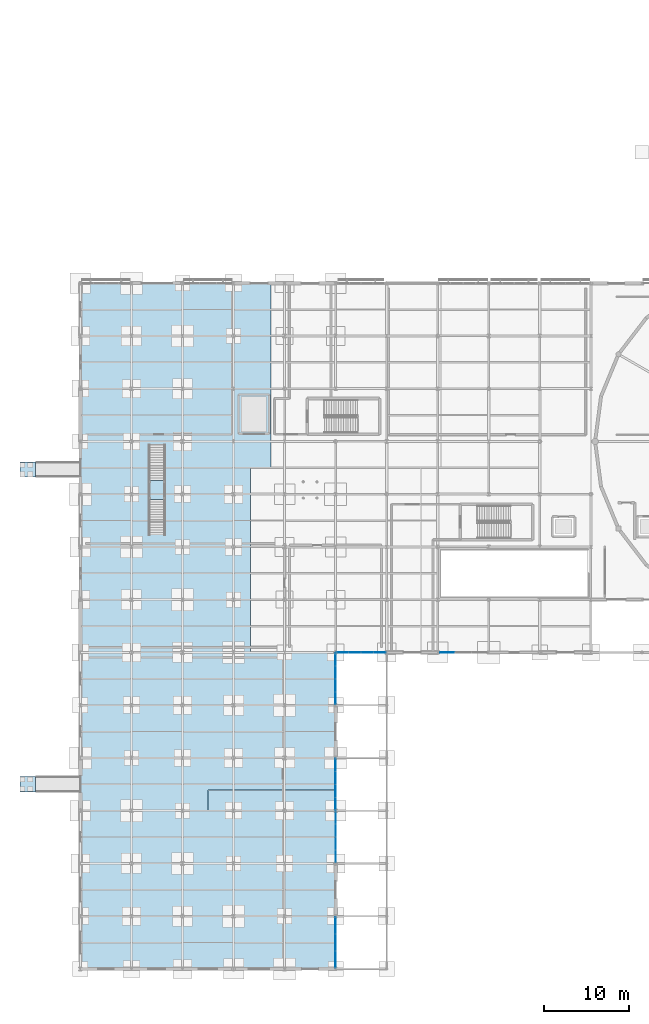
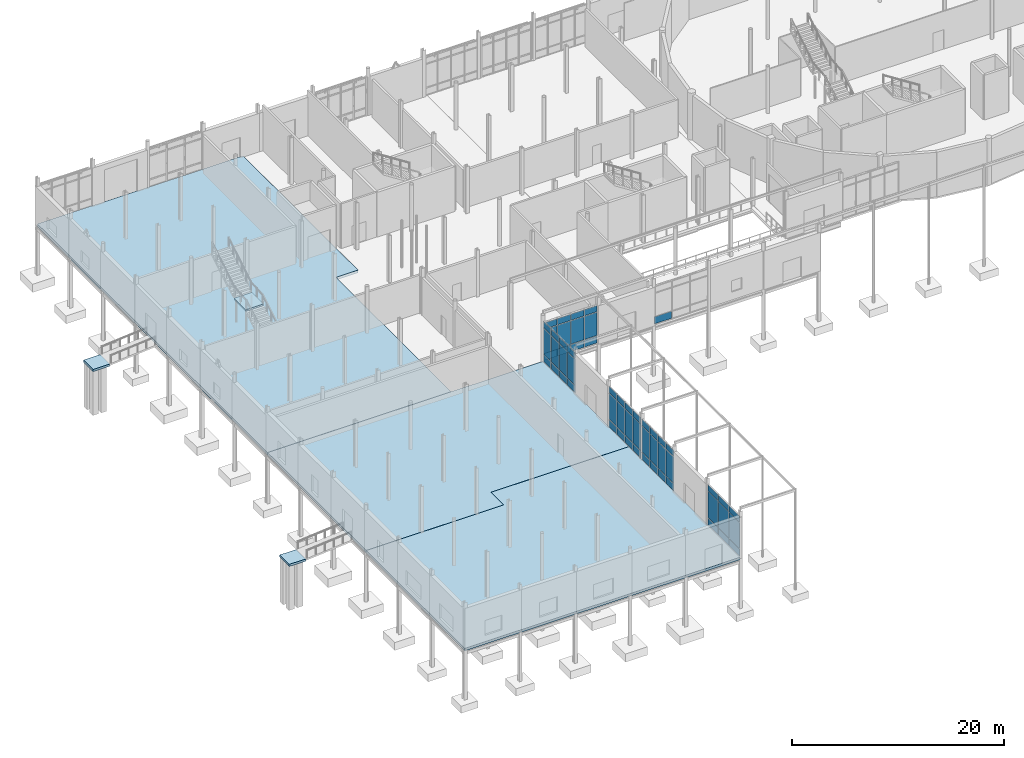
# One storey, part 59 of 98: 58 plates, 6 slabs, 7 elements without a shape of their own.
"""IFC4 building model written with IfcOpenShell, lengths in metres."""

from ifc_helpers import new_model, si_unit, direction, frame, origin, origin_2d, place, context, subcontext, project, spatial, polyline, rectangle, outline, extrude, material, layer, layer_set, type_object, element, aggregate, save


model = new_model("IFC4")

# Units and contexts
model_context = context("Model", 3, precision=1e-05, world=origin(), true_north=direction((0.0, 1.0)))
body_context = subcontext(model_context, "Body", "Model", "MODEL_VIEW")
ifc_project = project(units=[si_unit("LENGTHUNIT", "METRE"), si_unit("AREAUNIT", "SQUARE_METRE"), si_unit("VOLUMEUNIT", "CUBIC_METRE"), si_unit("PLANEANGLEUNIT", "RADIAN"), si_unit("MASSUNIT", "GRAM", prefix="KILO")], contexts=[model_context])

# Site, building, storey
site_placement = place(None, origin())
site = spatial("IfcSite", under=ifc_project, at=site_placement, CompositionType="ELEMENT")
building_placement = place(site_placement, origin())
building = spatial("IfcBuilding", under=site, at=building_placement, Name="Mirzam Square Science Centre", CompositionType="ELEMENT")
storey_placement = place(building_placement, origin())
storey = spatial("IfcBuildingStorey", under=building, at=storey_placement, Name="L00", CompositionType="ELEMENT", Elevation=0.0)

# Curtain wall, plates
ifc_material_1 = material(Name="Anodised Aluminium and Low-E Solar Glass", Category="aluminium")
ifc_layer_1 = layer(ifc_material_1, 0.159912109375)
ifc_layer_set_1 = layer_set([ifc_layer_1], Name="CW-COURT-B")
curtain_wall_type_1 = type_object("IfcCurtainWallType", Name="CW-COURT-B", PredefinedType="USERDEFINED", material=ifc_layer_set_1)
curtain_wall_1_placement = place(storey_placement, origin())
curtain_wall_1 = element("IfcCurtainWall", 1, at=curtain_wall_1_placement, inside=storey, type_object=curtain_wall_type_1, Name="L00 unitised curtain wall 37", ObjectType="UNITISED CURTAIN WALL", PredefinedType="USERDEFINED")
ifc_material_2 = material(Name="Ceramic-Fritted Courtyard Solar Glass", Category="glass")
ifc_layer_2 = layer(ifc_material_2, 0.02392578125)
ifc_layer_set_2 = layer_set([ifc_layer_2], Name="CWP-GLZ-24")
plate_type_1 = type_object("IfcPlateType", Name="CWP-GLZ-24", PredefinedType="CURTAIN_PANEL", material=ifc_layer_set_2)
plate_1_placement = place(storey_placement, frame((30.0, 13.231201171875, 0.06005859375), z_axis=(0.0, 0.0, 1.0), x_axis=(0.0, 1.0, 0.0)))
plate_1 = element("IfcPlate", 2, at=plate_1_placement, type_object=plate_type_1, Name="CW-04 panel 1.1", PredefinedType="CURTAIN_PANEL", context=body_context, shape_type="SweptSolid", body=[
    extrude(rectangle(XDim=1.4326171875, YDim=0.02392578125, at=origin_2d()), origin(), (0.0, 0.0, 1.0), 0.81005859375),
])
plate_2_placement = place(storey_placement, frame((30.0, 13.231201171875, 0.929931640625), z_axis=(0.0, 0.0, 1.0), x_axis=(0.0, 1.0, 0.0)))
plate_2 = element("IfcPlate", 3, at=plate_2_placement, type_object=plate_type_1, Name="CW-04 panel 1.2", PredefinedType="CURTAIN_PANEL", context=body_context, shape_type="SweptSolid", body=[
    extrude(rectangle(XDim=1.4326171875, YDim=0.02392578125, at=origin_2d()), origin(), (0.0, 0.0, 1.0), 3.0),
])
plate_3_placement = place(storey_placement, frame((30.0, 13.231201171875, 3.989990234375), z_axis=(0.0, 0.0, 1.0), x_axis=(0.0, 1.0, 0.0)))
plate_3 = element("IfcPlate", 4, at=plate_3_placement, type_object=plate_type_1, Name="CW-04 panel 1.3", PredefinedType="CURTAIN_PANEL", context=body_context, shape_type="SweptSolid", body=[
    extrude(rectangle(XDim=1.4326171875, YDim=0.02392578125, at=origin_2d()), origin(), (0.0, 0.0, 1.0), 0.7099609375),
])
plate_4_placement = place(storey_placement, frame((30.0, 14.73876953125, 0.06005859375), z_axis=(0.0, 0.0, 1.0), x_axis=(0.0, 1.0, 0.0)))
plate_4 = element("IfcPlate", 5, at=plate_4_placement, type_object=plate_type_1, Name="CW-04 panel 2.1", PredefinedType="CURTAIN_PANEL", context=body_context, shape_type="SweptSolid", body=[
    extrude(rectangle(XDim=1.46240234375, YDim=0.02392578125, at=origin_2d()), origin(), (0.0, 0.0, 1.0), 0.81005859375),
])
plate_5_placement = place(storey_placement, frame((30.0, 14.73876953125, 0.929931640625), z_axis=(0.0, 0.0, 1.0), x_axis=(0.0, 1.0, 0.0)))
plate_5 = element("IfcPlate", 6, at=plate_5_placement, type_object=plate_type_1, Name="CW-04 panel 2.2", PredefinedType="CURTAIN_PANEL", context=body_context, shape_type="SweptSolid", body=[
    extrude(rectangle(XDim=1.46240234375, YDim=0.02392578125, at=origin_2d()), origin(), (0.0, 0.0, 1.0), 3.0),
])
plate_6_placement = place(storey_placement, frame((30.0, 14.73876953125, 3.989990234375), z_axis=(0.0, 0.0, 1.0), x_axis=(0.0, 1.0, 0.0)))
plate_6 = element("IfcPlate", 7, at=plate_6_placement, type_object=plate_type_1, Name="CW-04 panel 2.3", PredefinedType="CURTAIN_PANEL", context=body_context, shape_type="SweptSolid", body=[
    extrude(rectangle(XDim=1.46240234375, YDim=0.02392578125, at=origin_2d()), origin(), (0.0, 0.0, 1.0), 0.7099609375),
])
plate_7_placement = place(storey_placement, frame((30.0, 16.26123046875, 0.06005859375), z_axis=(0.0, 0.0, 1.0), x_axis=(0.0, 1.0, 0.0)))
plate_7 = element("IfcPlate", 8, at=plate_7_placement, type_object=plate_type_1, Name="CW-04 panel 3.1", PredefinedType="CURTAIN_PANEL", context=body_context, shape_type="SweptSolid", body=[
    extrude(rectangle(XDim=1.46240234375, YDim=0.02392578125, at=origin_2d()), origin(), (0.0, 0.0, 1.0), 0.81005859375),
])
plate_8_placement = place(storey_placement, frame((30.0, 16.26123046875, 0.929931640625), z_axis=(0.0, 0.0, 1.0), x_axis=(0.0, 1.0, 0.0)))
plate_8 = element("IfcPlate", 9, at=plate_8_placement, type_object=plate_type_1, Name="CW-04 panel 3.2", PredefinedType="CURTAIN_PANEL", context=body_context, shape_type="SweptSolid", body=[
    extrude(rectangle(XDim=1.46240234375, YDim=0.02392578125, at=origin_2d()), origin(), (0.0, 0.0, 1.0), 3.0),
])
plate_9_placement = place(storey_placement, frame((30.0, 16.26123046875, 3.989990234375), z_axis=(0.0, 0.0, 1.0), x_axis=(0.0, 1.0, 0.0)))
plate_9 = element("IfcPlate", 10, at=plate_9_placement, type_object=plate_type_1, Name="CW-04 panel 3.3", PredefinedType="CURTAIN_PANEL", context=body_context, shape_type="SweptSolid", body=[
    extrude(rectangle(XDim=1.46240234375, YDim=0.02392578125, at=origin_2d()), origin(), (0.0, 0.0, 1.0), 0.7099609375),
])
plate_10_placement = place(storey_placement, frame((30.0, 17.768798828125, 0.06005859375), z_axis=(0.0, 0.0, 1.0), x_axis=(0.0, 1.0, 0.0)))
plate_10 = element("IfcPlate", 11, at=plate_10_placement, type_object=plate_type_1, Name="CW-04 panel 4.1", PredefinedType="CURTAIN_PANEL", context=body_context, shape_type="SweptSolid", body=[
    extrude(rectangle(XDim=1.4326171875, YDim=0.02392578125, at=origin_2d()), origin(), (0.0, 0.0, 1.0), 0.81005859375),
])
plate_11_placement = place(storey_placement, frame((30.0, 17.768798828125, 0.929931640625), z_axis=(0.0, 0.0, 1.0), x_axis=(0.0, 1.0, 0.0)))
plate_11 = element("IfcPlate", 12, at=plate_11_placement, type_object=plate_type_1, Name="CW-04 panel 4.2", PredefinedType="CURTAIN_PANEL", context=body_context, shape_type="SweptSolid", body=[
    extrude(rectangle(XDim=1.4326171875, YDim=0.02392578125, at=origin_2d()), origin(), (0.0, 0.0, 1.0), 3.0),
])
plate_12_placement = place(storey_placement, frame((30.0, 17.768798828125, 3.989990234375), z_axis=(0.0, 0.0, 1.0), x_axis=(0.0, 1.0, 0.0)))
plate_12 = element("IfcPlate", 13, at=plate_12_placement, type_object=plate_type_1, Name="CW-04 panel 4.3", PredefinedType="CURTAIN_PANEL", context=body_context, shape_type="SweptSolid", body=[
    extrude(rectangle(XDim=1.4326171875, YDim=0.02392578125, at=origin_2d()), origin(), (0.0, 0.0, 1.0), 0.7099609375),
])
aggregate(curtain_wall_1, [plate_1, plate_2, plate_3, plate_4, plate_5, plate_6, plate_7, plate_8, plate_9, plate_10, plate_11, plate_12])

ifc_layer_3 = layer(ifc_material_1, 0.199951171875)
ifc_layer_set_3 = layer_set([ifc_layer_3], Name="CW-PARK-B")
curtain_wall_type_2 = type_object("IfcCurtainWallType", Name="CW-PARK-B", PredefinedType="USERDEFINED", material=ifc_layer_set_3)
curtain_wall_2_placement = place(storey_placement, origin())
curtain_wall_2 = element("IfcCurtainWall", 14, at=curtain_wall_2_placement, inside=storey, type_object=curtain_wall_type_2, Name="L00 unitised curtain wall 36", ObjectType="UNITISED CURTAIN WALL", PredefinedType="USERDEFINED")
ifc_material_3 = material(Name="Triple-Glazed Acoustic Low-E Solar Glass", Category="glass")
ifc_layer_4 = layer(ifc_material_3, 0.031982421875)
ifc_layer_set_4 = layer_set([ifc_layer_4], Name="CWP-GLZ-32")
plate_type_2 = type_object("IfcPlateType", Name="CWP-GLZ-32", PredefinedType="CURTAIN_PANEL", material=ifc_layer_set_4)
plate_13_placement = place(storey_placement, frame((30.0, 1.086181640625, 0.06494140625), z_axis=(0.0, 0.0, 1.0), x_axis=(0.0, 1.0, 0.0)))
plate_13 = element("IfcPlate", 15, at=plate_13_placement, type_object=plate_type_2, Name="CW-02 panel 1.1", PredefinedType="CURTAIN_PANEL", context=body_context, shape_type="SweptSolid", body=[
    extrude(rectangle(XDim=1.9326171875, YDim=0.031982421875, at=origin_2d()), origin(), (0.0, 0.0, 1.0), 0.802490234375),
])
plate_14_placement = place(storey_placement, frame((30.0, 1.086181640625, 0.932373046875), z_axis=(0.0, 0.0, 1.0), x_axis=(0.0, 1.0, 0.0)))
plate_14 = element("IfcPlate", 16, at=plate_14_placement, type_object=plate_type_2, Name="CW-02 panel 1.2", PredefinedType="CURTAIN_PANEL", context=body_context, shape_type="SweptSolid", body=[
    extrude(rectangle(XDim=1.9326171875, YDim=0.031982421875, at=origin_2d()), origin(), (0.0, 0.0, 1.0), 2.9951171875),
])
plate_15_placement = place(storey_placement, frame((30.0, 1.086181640625, 3.99267578125), z_axis=(0.0, 0.0, 1.0), x_axis=(0.0, 1.0, 0.0)))
plate_15 = element("IfcPlate", 17, at=plate_15_placement, type_object=plate_type_2, Name="CW-02 panel 1.3", PredefinedType="CURTAIN_PANEL", context=body_context, shape_type="SweptSolid", body=[
    extrude(rectangle(XDim=1.9326171875, YDim=0.031982421875, at=origin_2d()), origin(), (0.0, 0.0, 1.0), 0.702392578125),
])
plate_16_placement = place(storey_placement, frame((30.0, 3.10009765625, 0.06494140625), z_axis=(0.0, 0.0, 1.0), x_axis=(0.0, 1.0, 0.0)))
plate_16 = element("IfcPlate", 18, at=plate_16_placement, type_object=plate_type_2, Name="CW-02 panel 2.1", PredefinedType="CURTAIN_PANEL", context=body_context, shape_type="SweptSolid", body=[
    extrude(rectangle(XDim=1.965087890625, YDim=0.031982421875, at=origin_2d()), origin(), (0.0, 0.0, 1.0), 0.802490234375),
])
plate_17_placement = place(storey_placement, frame((30.0, 3.10009765625, 0.932373046875), z_axis=(0.0, 0.0, 1.0), x_axis=(0.0, 1.0, 0.0)))
plate_17 = element("IfcPlate", 19, at=plate_17_placement, type_object=plate_type_2, Name="CW-02 panel 2.2", PredefinedType="CURTAIN_PANEL", context=body_context, shape_type="SweptSolid", body=[
    extrude(rectangle(XDim=1.965087890625, YDim=0.031982421875, at=origin_2d()), origin(), (0.0, 0.0, 1.0), 2.9951171875),
])
plate_18_placement = place(storey_placement, frame((30.0, 3.10009765625, 3.99267578125), z_axis=(0.0, 0.0, 1.0), x_axis=(0.0, 1.0, 0.0)))
plate_18 = element("IfcPlate", 20, at=plate_18_placement, type_object=plate_type_2, Name="CW-02 panel 2.3", PredefinedType="CURTAIN_PANEL", context=body_context, shape_type="SweptSolid", body=[
    extrude(rectangle(XDim=1.965087890625, YDim=0.031982421875, at=origin_2d()), origin(), (0.0, 0.0, 1.0), 0.702392578125),
])
plate_19_placement = place(storey_placement, frame((30.0, 5.11376953125, 0.06494140625), z_axis=(0.0, 0.0, 1.0), x_axis=(0.0, 1.0, 0.0)))
plate_19 = element("IfcPlate", 21, at=plate_19_placement, type_object=plate_type_2, Name="CW-02 panel 3.1", PredefinedType="CURTAIN_PANEL", context=body_context, shape_type="SweptSolid", body=[
    extrude(rectangle(XDim=1.9326171875, YDim=0.031982421875, at=origin_2d()), origin(), (0.0, 0.0, 1.0), 0.802490234375),
])
plate_20_placement = place(storey_placement, frame((30.0, 5.11376953125, 0.932373046875), z_axis=(0.0, 0.0, 1.0), x_axis=(0.0, 1.0, 0.0)))
plate_20 = element("IfcPlate", 22, at=plate_20_placement, type_object=plate_type_2, Name="CW-02 panel 3.2", PredefinedType="CURTAIN_PANEL", context=body_context, shape_type="SweptSolid", body=[
    extrude(rectangle(XDim=1.9326171875, YDim=0.031982421875, at=origin_2d()), origin(), (0.0, 0.0, 1.0), 2.9951171875),
])
plate_21_placement = place(storey_placement, frame((30.0, 5.11376953125, 3.99267578125), z_axis=(0.0, 0.0, 1.0), x_axis=(0.0, 1.0, 0.0)))
plate_21 = element("IfcPlate", 23, at=plate_21_placement, type_object=plate_type_2, Name="CW-02 panel 3.3", PredefinedType="CURTAIN_PANEL", context=body_context, shape_type="SweptSolid", body=[
    extrude(rectangle(XDim=1.9326171875, YDim=0.031982421875, at=origin_2d()), origin(), (0.0, 0.0, 1.0), 0.702392578125),
])
aggregate(curtain_wall_2, [plate_13, plate_14, plate_15, plate_16, plate_17, plate_18, plate_19, plate_20, plate_21])

ifc_layer_5 = layer(ifc_material_1, 0.219970703125)
ifc_layer_set_5 = layer_set([ifc_layer_5], Name="CW-OBS-A")
curtain_wall_type_3 = type_object("IfcCurtainWallType", Name="CW-OBS-A", PredefinedType="USERDEFINED", material=ifc_layer_set_5)
curtain_wall_3_placement = place(storey_placement, origin())
curtain_wall_3 = element("IfcCurtainWall", 24, at=curtain_wall_3_placement, inside=storey, type_object=curtain_wall_type_3, Name="L00 unitised curtain wall 39", ObjectType="UNITISED CURTAIN WALL", PredefinedType="USERDEFINED")
plate_22_placement = place(storey_placement, frame((30.0, 31.831298828125, 0.06005859375), z_axis=(0.0, 0.0, 1.0), x_axis=(0.0, 1.0, 0.0)))
plate_22 = element("IfcPlate", 25, at=plate_22_placement, type_object=plate_type_2, Name="CW-07 panel 1.1", PredefinedType="CURTAIN_PANEL", context=body_context, shape_type="SweptSolid", body=[
    extrude(rectangle(XDim=1.4326171875, YDim=0.031982421875, at=origin_2d()), origin(), (0.0, 0.0, 1.0), 0.81005859375),
])
plate_23_placement = place(storey_placement, frame((30.0, 31.831298828125, 0.929931640625), z_axis=(0.0, 0.0, 1.0), x_axis=(0.0, 1.0, 0.0)))
plate_23 = element("IfcPlate", 26, at=plate_23_placement, type_object=plate_type_2, Name="CW-07 panel 1.2", PredefinedType="CURTAIN_PANEL", context=body_context, shape_type="SweptSolid", body=[
    extrude(rectangle(XDim=1.4326171875, YDim=0.031982421875, at=origin_2d()), origin(), (0.0, 0.0, 1.0), 3.0),
])
plate_24_placement = place(storey_placement, frame((30.0, 31.831298828125, 3.989990234375), z_axis=(0.0, 0.0, 1.0), x_axis=(0.0, 1.0, 0.0)))
plate_24 = element("IfcPlate", 27, at=plate_24_placement, type_object=plate_type_2, Name="CW-07 panel 1.3", PredefinedType="CURTAIN_PANEL", context=body_context, shape_type="SweptSolid", body=[
    extrude(rectangle(XDim=1.4326171875, YDim=0.031982421875, at=origin_2d()), origin(), (0.0, 0.0, 1.0), 0.7099609375),
])
plate_25_placement = place(storey_placement, frame((30.0, 33.3388671875, 0.06005859375), z_axis=(0.0, 0.0, 1.0), x_axis=(0.0, 1.0, 0.0)))
plate_25 = element("IfcPlate", 28, at=plate_25_placement, type_object=plate_type_2, Name="CW-07 panel 2.1", PredefinedType="CURTAIN_PANEL", context=body_context, shape_type="SweptSolid", body=[
    extrude(rectangle(XDim=1.46240234375, YDim=0.031982421875, at=origin_2d()), origin(), (0.0, 0.0, 1.0), 0.81005859375),
])
plate_26_placement = place(storey_placement, frame((30.0, 33.3388671875, 0.929931640625), z_axis=(0.0, 0.0, 1.0), x_axis=(0.0, 1.0, 0.0)))
plate_26 = element("IfcPlate", 29, at=plate_26_placement, type_object=plate_type_2, Name="CW-07 panel 2.2", PredefinedType="CURTAIN_PANEL", context=body_context, shape_type="SweptSolid", body=[
    extrude(rectangle(XDim=1.46240234375, YDim=0.031982421875, at=origin_2d()), origin(), (0.0, 0.0, 1.0), 3.0),
])
plate_27_placement = place(storey_placement, frame((30.0, 33.3388671875, 3.989990234375), z_axis=(0.0, 0.0, 1.0), x_axis=(0.0, 1.0, 0.0)))
plate_27 = element("IfcPlate", 30, at=plate_27_placement, type_object=plate_type_2, Name="CW-07 panel 2.3", PredefinedType="CURTAIN_PANEL", context=body_context, shape_type="SweptSolid", body=[
    extrude(rectangle(XDim=1.46240234375, YDim=0.031982421875, at=origin_2d()), origin(), (0.0, 0.0, 1.0), 0.7099609375),
])
plate_28_placement = place(storey_placement, frame((30.0, 34.861328125, 0.06005859375), z_axis=(0.0, 0.0, 1.0), x_axis=(0.0, 1.0, 0.0)))
plate_28 = element("IfcPlate", 31, at=plate_28_placement, type_object=plate_type_2, Name="CW-07 panel 3.1", PredefinedType="CURTAIN_PANEL", context=body_context, shape_type="SweptSolid", body=[
    extrude(rectangle(XDim=1.46240234375, YDim=0.031982421875, at=origin_2d()), origin(), (0.0, 0.0, 1.0), 0.81005859375),
])
plate_29_placement = place(storey_placement, frame((30.0, 34.861328125, 0.929931640625), z_axis=(0.0, 0.0, 1.0), x_axis=(0.0, 1.0, 0.0)))
plate_29 = element("IfcPlate", 32, at=plate_29_placement, type_object=plate_type_2, Name="CW-07 panel 3.2", PredefinedType="CURTAIN_PANEL", context=body_context, shape_type="SweptSolid", body=[
    extrude(rectangle(XDim=1.46240234375, YDim=0.031982421875, at=origin_2d()), origin(), (0.0, 0.0, 1.0), 3.0),
])
plate_30_placement = place(storey_placement, frame((30.0, 34.861328125, 3.989990234375), z_axis=(0.0, 0.0, 1.0), x_axis=(0.0, 1.0, 0.0)))
plate_30 = element("IfcPlate", 33, at=plate_30_placement, type_object=plate_type_2, Name="CW-07 panel 3.3", PredefinedType="CURTAIN_PANEL", context=body_context, shape_type="SweptSolid", body=[
    extrude(rectangle(XDim=1.46240234375, YDim=0.031982421875, at=origin_2d()), origin(), (0.0, 0.0, 1.0), 0.7099609375),
])
plate_31_placement = place(storey_placement, frame((30.0, 36.36865234375, 0.06005859375), z_axis=(0.0, 0.0, 1.0), x_axis=(0.0, 1.0, 0.0)))
plate_31 = element("IfcPlate", 34, at=plate_31_placement, type_object=plate_type_2, Name="CW-07 panel 4.1", PredefinedType="CURTAIN_PANEL", context=body_context, shape_type="SweptSolid", body=[
    extrude(rectangle(XDim=1.4326171875, YDim=0.031982421875, at=origin_2d()), origin(), (0.0, 0.0, 1.0), 0.81005859375),
])
plate_32_placement = place(storey_placement, frame((30.0, 36.36865234375, 0.929931640625), z_axis=(0.0, 0.0, 1.0), x_axis=(0.0, 1.0, 0.0)))
plate_32 = element("IfcPlate", 35, at=plate_32_placement, type_object=plate_type_2, Name="CW-07 panel 4.2", PredefinedType="CURTAIN_PANEL", context=body_context, shape_type="SweptSolid", body=[
    extrude(rectangle(XDim=1.4326171875, YDim=0.031982421875, at=origin_2d()), origin(), (0.0, 0.0, 1.0), 3.0),
])
plate_33_placement = place(storey_placement, frame((30.0, 36.36865234375, 3.989990234375), z_axis=(0.0, 0.0, 1.0), x_axis=(0.0, 1.0, 0.0)))
plate_33 = element("IfcPlate", 36, at=plate_33_placement, type_object=plate_type_2, Name="CW-07 panel 4.3", PredefinedType="CURTAIN_PANEL", context=body_context, shape_type="SweptSolid", body=[
    extrude(rectangle(XDim=1.4326171875, YDim=0.031982421875, at=origin_2d()), origin(), (0.0, 0.0, 1.0), 0.7099609375),
])
aggregate(curtain_wall_3, [plate_22, plate_23, plate_24, plate_25, plate_26, plate_27, plate_28, plate_29, plate_30, plate_31, plate_32, plate_33])

ifc_layer_6 = layer(ifc_material_1, 0.179931640625)
ifc_layer_set_6 = layer_set([ifc_layer_6], Name="CW-LINK-A")
curtain_wall_type_4 = type_object("IfcCurtainWallType", Name="CW-LINK-A", PredefinedType="USERDEFINED", material=ifc_layer_set_6)
curtain_wall_4_placement = place(storey_placement, origin())
curtain_wall_4 = element("IfcCurtainWall", 37, at=curtain_wall_4_placement, inside=storey, type_object=curtain_wall_type_4, Name="L00 unitised curtain wall 7", ObjectType="UNITISED CURTAIN WALL", PredefinedType="USERDEFINED")
ifc_material_4 = material(Name="Laminated Low-Iron Observatory Solar Glass", Category="glass")
ifc_layer_7 = layer(ifc_material_4, 0.035888671875)
ifc_layer_set_7 = layer_set([ifc_layer_7], Name="CWP-GLZ-36")
plate_type_3 = type_object("IfcPlateType", Name="CWP-GLZ-36", PredefinedType="CURTAIN_PANEL", material=ifc_layer_set_7)
plate_34_placement = place(storey_placement, frame((30.8076171875, 37.199951171875, 0.06494140625), z_axis=(0.0, 0.0, 1.0), x_axis=(1.0, 0.0, 0.0)))
plate_34 = element("IfcPlate", 38, at=plate_34_placement, type_object=plate_type_3, Name="CW-08 panel 1.1", PredefinedType="CURTAIN_PANEL", context=body_context, shape_type="SweptSolid", body=[
    extrude(rectangle(XDim=1.375, YDim=0.035888671875, at=origin_2d()), origin(), (0.0, 0.0, 1.0), 0.802490234375),
])
plate_35_placement = place(storey_placement, frame((30.8076171875, 37.199951171875, 0.9326171875), z_axis=(0.0, 0.0, 1.0), x_axis=(1.0, 0.0, 0.0)))
plate_35 = element("IfcPlate", 39, at=plate_35_placement, type_object=plate_type_3, Name="CW-08 panel 1.2", PredefinedType="CURTAIN_PANEL", context=body_context, shape_type="SweptSolid", body=[
    extrude(rectangle(XDim=1.375, YDim=0.035888671875, at=origin_2d()), origin(), (0.0, 0.0, 1.0), 2.675048828125),
])
plate_36_placement = place(storey_placement, frame((30.8076171875, 37.199951171875, 3.67236328125), z_axis=(0.0, 0.0, 1.0), x_axis=(1.0, 0.0, 0.0)))
plate_36 = element("IfcPlate", 40, at=plate_36_placement, type_object=plate_type_3, Name="CW-08 panel 1.3", PredefinedType="CURTAIN_PANEL", context=body_context, shape_type="SweptSolid", body=[
    extrude(rectangle(XDim=1.375, YDim=0.035888671875, at=origin_2d()), origin(), (0.0, 0.0, 1.0), 0.702392578125),
])
plate_37_placement = place(storey_placement, frame((32.263671875, 37.199951171875, 0.06494140625), z_axis=(0.0, 0.0, 1.0), x_axis=(1.0, 0.0, 0.0)))
plate_37 = element("IfcPlate", 41, at=plate_37_placement, type_object=plate_type_3, Name="CW-08 panel 2.1", PredefinedType="CURTAIN_PANEL", context=body_context, shape_type="SweptSolid", body=[
    extrude(rectangle(XDim=1.407470703125, YDim=0.035888671875, at=origin_2d()), origin(), (0.0, 0.0, 1.0), 0.802490234375),
])
plate_38_placement = place(storey_placement, frame((32.263671875, 37.199951171875, 0.9326171875), z_axis=(0.0, 0.0, 1.0), x_axis=(1.0, 0.0, 0.0)))
plate_38 = element("IfcPlate", 42, at=plate_38_placement, type_object=plate_type_3, Name="CW-08 panel 2.2", PredefinedType="CURTAIN_PANEL", context=body_context, shape_type="SweptSolid", body=[
    extrude(rectangle(XDim=1.407470703125, YDim=0.035888671875, at=origin_2d()), origin(), (0.0, 0.0, 1.0), 2.675048828125),
])
plate_39_placement = place(storey_placement, frame((32.263671875, 37.199951171875, 3.67236328125), z_axis=(0.0, 0.0, 1.0), x_axis=(1.0, 0.0, 0.0)))
plate_39 = element("IfcPlate", 43, at=plate_39_placement, type_object=plate_type_3, Name="CW-08 panel 2.3", PredefinedType="CURTAIN_PANEL", context=body_context, shape_type="SweptSolid", body=[
    extrude(rectangle(XDim=1.407470703125, YDim=0.035888671875, at=origin_2d()), origin(), (0.0, 0.0, 1.0), 0.702392578125),
])
plate_40_placement = place(storey_placement, frame((33.736328125, 37.199951171875, 0.06494140625), z_axis=(0.0, 0.0, 1.0), x_axis=(1.0, 0.0, 0.0)))
plate_40 = element("IfcPlate", 44, at=plate_40_placement, type_object=plate_type_3, Name="CW-08 panel 3.1", PredefinedType="CURTAIN_PANEL", context=body_context, shape_type="SweptSolid", body=[
    extrude(rectangle(XDim=1.407470703125, YDim=0.035888671875, at=origin_2d()), origin(), (0.0, 0.0, 1.0), 0.802490234375),
])
plate_41_placement = place(storey_placement, frame((33.736328125, 37.199951171875, 0.9326171875), z_axis=(0.0, 0.0, 1.0), x_axis=(1.0, 0.0, 0.0)))
plate_41 = element("IfcPlate", 45, at=plate_41_placement, type_object=plate_type_3, Name="CW-08 panel 3.2", PredefinedType="CURTAIN_PANEL", context=body_context, shape_type="SweptSolid", body=[
    extrude(rectangle(XDim=1.407470703125, YDim=0.035888671875, at=origin_2d()), origin(), (0.0, 0.0, 1.0), 2.675048828125),
])
plate_42_placement = place(storey_placement, frame((33.736328125, 37.199951171875, 3.67236328125), z_axis=(0.0, 0.0, 1.0), x_axis=(1.0, 0.0, 0.0)))
plate_42 = element("IfcPlate", 46, at=plate_42_placement, type_object=plate_type_3, Name="CW-08 panel 3.3", PredefinedType="CURTAIN_PANEL", context=body_context, shape_type="SweptSolid", body=[
    extrude(rectangle(XDim=1.407470703125, YDim=0.035888671875, at=origin_2d()), origin(), (0.0, 0.0, 1.0), 0.702392578125),
])
plate_43_placement = place(storey_placement, frame((35.1923828125, 37.199951171875, 0.06494140625), z_axis=(0.0, 0.0, 1.0), x_axis=(1.0, 0.0, 0.0)))
plate_43 = element("IfcPlate", 47, at=plate_43_placement, type_object=plate_type_3, Name="CW-08 panel 4.1", PredefinedType="CURTAIN_PANEL", context=body_context, shape_type="SweptSolid", body=[
    extrude(rectangle(XDim=1.375, YDim=0.035888671875, at=origin_2d()), origin(), (0.0, 0.0, 1.0), 0.802490234375),
])
plate_44_placement = place(storey_placement, frame((35.1923828125, 37.199951171875, 0.9326171875), z_axis=(0.0, 0.0, 1.0), x_axis=(1.0, 0.0, 0.0)))
plate_44 = element("IfcPlate", 48, at=plate_44_placement, type_object=plate_type_3, Name="CW-08 panel 4.2", PredefinedType="CURTAIN_PANEL", context=body_context, shape_type="SweptSolid", body=[
    extrude(rectangle(XDim=1.375, YDim=0.035888671875, at=origin_2d()), origin(), (0.0, 0.0, 1.0), 2.675048828125),
])
plate_45_placement = place(storey_placement, frame((35.1923828125, 37.199951171875, 3.67236328125), z_axis=(0.0, 0.0, 1.0), x_axis=(1.0, 0.0, 0.0)))
plate_45 = element("IfcPlate", 49, at=plate_45_placement, type_object=plate_type_3, Name="CW-08 panel 4.3", PredefinedType="CURTAIN_PANEL", context=body_context, shape_type="SweptSolid", body=[
    extrude(rectangle(XDim=1.375, YDim=0.035888671875, at=origin_2d()), origin(), (0.0, 0.0, 1.0), 0.702392578125),
])
aggregate(curtain_wall_4, [plate_34, plate_35, plate_36, plate_37, plate_38, plate_39, plate_40, plate_41, plate_42, plate_43, plate_44, plate_45])

# Curtain wall, plate
curtain_wall_5_placement = place(storey_placement, origin())
curtain_wall_5 = element("IfcCurtainWall", 50, at=curtain_wall_5_placement, inside=storey, type_object=curtain_wall_type_2, Name="L00 unitised curtain wall 8", ObjectType="UNITISED CURTAIN WALL", PredefinedType="USERDEFINED")
ifc_material_5 = material(Name="Acoustic Laminated Solar Spandrel Glass", Category="glass")
ifc_layer_8 = layer(ifc_material_5, 0.0400390625)
ifc_layer_set_8 = layer_set([ifc_layer_8], Name="CWP-GLZ-40")
plate_type_4 = type_object("IfcPlateType", Name="CWP-GLZ-40", PredefinedType="CURTAIN_PANEL", material=ifc_layer_set_8)
plate_46_placement = place(storey_placement, frame((43.0517578125, 37.199951171875, 0.06005859375), z_axis=(0.0, 0.0, 1.0), x_axis=(1.0, 0.0, 0.0)))
plate_46 = element("IfcPlate", 51, at=plate_46_placement, type_object=plate_type_4, Name="CW-02 panel 1.1", PredefinedType="CURTAIN_PANEL", context=body_context, shape_type="SweptSolid", body=[
    extrude(rectangle(XDim=1.873291015625, YDim=0.0400390625, at=origin_2d()), origin(), (0.0, 0.0, 1.0), 0.81005859375),
])
aggregate(curtain_wall_5, [plate_46])

# Curtain wall, plates
ifc_layer_9 = layer(ifc_material_1, 0.199951171875)
ifc_layer_set_9 = layer_set([ifc_layer_9], Name="CW-EAST-A")
curtain_wall_type_5 = type_object("IfcCurtainWallType", Name="CW-EAST-A", PredefinedType="USERDEFINED", material=ifc_layer_set_9)
curtain_wall_6_placement = place(storey_placement, origin())
curtain_wall_6 = element("IfcCurtainWall", 52, at=curtain_wall_6_placement, inside=storey, type_object=curtain_wall_type_5, Name="L00 unitised curtain wall 38", ObjectType="UNITISED CURTAIN WALL", PredefinedType="USERDEFINED")
plate_47_placement = place(storey_placement, frame((30.0, 19.4326171875, 0.06494140625), z_axis=(0.0, 0.0, 1.0), x_axis=(0.0, 1.0, 0.0)))
plate_47 = element("IfcPlate", 53, at=plate_47_placement, type_object=plate_type_4, Name="CW-05 panel 1.1", PredefinedType="CURTAIN_PANEL", context=body_context, shape_type="SweptSolid", body=[
    extrude(rectangle(XDim=1.425048828125, YDim=0.0400390625, at=origin_2d()), origin(), (0.0, 0.0, 1.0), 0.802490234375),
])
plate_48_placement = place(storey_placement, frame((30.0, 19.4326171875, 0.932373046875), z_axis=(0.0, 0.0, 1.0), x_axis=(0.0, 1.0, 0.0)))
plate_48 = element("IfcPlate", 54, at=plate_48_placement, type_object=plate_type_4, Name="CW-05 panel 1.2", PredefinedType="CURTAIN_PANEL", context=body_context, shape_type="SweptSolid", body=[
    extrude(rectangle(XDim=1.425048828125, YDim=0.0400390625, at=origin_2d()), origin(), (0.0, 0.0, 1.0), 2.9951171875),
])
plate_49_placement = place(storey_placement, frame((30.0, 19.4326171875, 3.99267578125), z_axis=(0.0, 0.0, 1.0), x_axis=(0.0, 1.0, 0.0)))
plate_49 = element("IfcPlate", 55, at=plate_49_placement, type_object=plate_type_4, Name="CW-05 panel 1.3", PredefinedType="CURTAIN_PANEL", context=body_context, shape_type="SweptSolid", body=[
    extrude(rectangle(XDim=1.425048828125, YDim=0.0400390625, at=origin_2d()), origin(), (0.0, 0.0, 1.0), 0.702392578125),
])
plate_50_placement = place(storey_placement, frame((30.0, 20.938720703125, 0.06494140625), z_axis=(0.0, 0.0, 1.0), x_axis=(0.0, 1.0, 0.0)))
plate_50 = element("IfcPlate", 56, at=plate_50_placement, type_object=plate_type_4, Name="CW-05 panel 2.1", PredefinedType="CURTAIN_PANEL", context=body_context, shape_type="SweptSolid", body=[
    extrude(rectangle(XDim=1.45751953125, YDim=0.0400390625, at=origin_2d()), origin(), (0.0, 0.0, 1.0), 0.802490234375),
])
plate_51_placement = place(storey_placement, frame((30.0, 20.938720703125, 0.932373046875), z_axis=(0.0, 0.0, 1.0), x_axis=(0.0, 1.0, 0.0)))
plate_51 = element("IfcPlate", 57, at=plate_51_placement, type_object=plate_type_4, Name="CW-05 panel 2.2", PredefinedType="CURTAIN_PANEL", context=body_context, shape_type="SweptSolid", body=[
    extrude(rectangle(XDim=1.45751953125, YDim=0.0400390625, at=origin_2d()), origin(), (0.0, 0.0, 1.0), 2.9951171875),
])
plate_52_placement = place(storey_placement, frame((30.0, 20.938720703125, 3.99267578125), z_axis=(0.0, 0.0, 1.0), x_axis=(0.0, 1.0, 0.0)))
plate_52 = element("IfcPlate", 58, at=plate_52_placement, type_object=plate_type_4, Name="CW-05 panel 2.3", PredefinedType="CURTAIN_PANEL", context=body_context, shape_type="SweptSolid", body=[
    extrude(rectangle(XDim=1.45751953125, YDim=0.0400390625, at=origin_2d()), origin(), (0.0, 0.0, 1.0), 0.702392578125),
])
plate_53_placement = place(storey_placement, frame((30.0, 22.461181640625, 0.06494140625), z_axis=(0.0, 0.0, 1.0), x_axis=(0.0, 1.0, 0.0)))
plate_53 = element("IfcPlate", 59, at=plate_53_placement, type_object=plate_type_4, Name="CW-05 panel 3.1", PredefinedType="CURTAIN_PANEL", context=body_context, shape_type="SweptSolid", body=[
    extrude(rectangle(XDim=1.45751953125, YDim=0.0400390625, at=origin_2d()), origin(), (0.0, 0.0, 1.0), 0.802490234375),
])
plate_54_placement = place(storey_placement, frame((30.0, 22.461181640625, 0.932373046875), z_axis=(0.0, 0.0, 1.0), x_axis=(0.0, 1.0, 0.0)))
plate_54 = element("IfcPlate", 60, at=plate_54_placement, type_object=plate_type_4, Name="CW-05 panel 3.2", PredefinedType="CURTAIN_PANEL", context=body_context, shape_type="SweptSolid", body=[
    extrude(rectangle(XDim=1.45751953125, YDim=0.0400390625, at=origin_2d()), origin(), (0.0, 0.0, 1.0), 2.9951171875),
])
plate_55_placement = place(storey_placement, frame((30.0, 22.461181640625, 3.99267578125), z_axis=(0.0, 0.0, 1.0), x_axis=(0.0, 1.0, 0.0)))
plate_55 = element("IfcPlate", 61, at=plate_55_placement, type_object=plate_type_4, Name="CW-05 panel 3.3", PredefinedType="CURTAIN_PANEL", context=body_context, shape_type="SweptSolid", body=[
    extrude(rectangle(XDim=1.45751953125, YDim=0.0400390625, at=origin_2d()), origin(), (0.0, 0.0, 1.0), 0.702392578125),
])
plate_56_placement = place(storey_placement, frame((30.0, 23.967529296875, 0.06494140625), z_axis=(0.0, 0.0, 1.0), x_axis=(0.0, 1.0, 0.0)))
plate_56 = element("IfcPlate", 62, at=plate_56_placement, type_object=plate_type_4, Name="CW-05 panel 4.1", PredefinedType="CURTAIN_PANEL", context=body_context, shape_type="SweptSolid", body=[
    extrude(rectangle(XDim=1.425048828125, YDim=0.0400390625, at=origin_2d()), origin(), (0.0, 0.0, 1.0), 0.802490234375),
])
plate_57_placement = place(storey_placement, frame((30.0, 23.967529296875, 0.932373046875), z_axis=(0.0, 0.0, 1.0), x_axis=(0.0, 1.0, 0.0)))
plate_57 = element("IfcPlate", 63, at=plate_57_placement, type_object=plate_type_4, Name="CW-05 panel 4.2", PredefinedType="CURTAIN_PANEL", context=body_context, shape_type="SweptSolid", body=[
    extrude(rectangle(XDim=1.425048828125, YDim=0.0400390625, at=origin_2d()), origin(), (0.0, 0.0, 1.0), 2.9951171875),
])
plate_58_placement = place(storey_placement, frame((30.0, 23.967529296875, 3.99267578125), z_axis=(0.0, 0.0, 1.0), x_axis=(0.0, 1.0, 0.0)))
plate_58 = element("IfcPlate", 64, at=plate_58_placement, type_object=plate_type_4, Name="CW-05 panel 4.3", PredefinedType="CURTAIN_PANEL", context=body_context, shape_type="SweptSolid", body=[
    extrude(rectangle(XDim=1.425048828125, YDim=0.0400390625, at=origin_2d()), origin(), (0.0, 0.0, 1.0), 0.702392578125),
])
aggregate(curtain_wall_6, [plate_47, plate_48, plate_49, plate_50, plate_51, plate_52, plate_53, plate_54, plate_55, plate_56, plate_57, plate_58])

# Slabs
ifc_material_6 = material(Name="Concrete C45/55", Category="concrete")
ifc_layer_10 = layer(ifc_material_6, 0.2900390625)
ifc_layer_set_10 = layer_set([ifc_layer_10], Name="SL-GND-290")
slab_type_1 = type_object("IfcSlabType", Name="SL-GND-290", PredefinedType="FLOOR", material=ifc_layer_set_10)
slab_1_placement = place(storey_placement, frame((0.0, 0.0, -0.2900390625)))
element("IfcSlab", 65, at=slab_1_placement, inside=storey, type_object=slab_type_1, Name="L00 sw gallery 1 slab", PredefinedType="FLOOR", context=body_context, shape_type="SweptSolid", body=[
    extrude(outline(polyline([(15.0, 18.60009765625), (15.0, 21.0), (30.0, 21.0), (30.0, 0.0), (0.0, 0.0), (0.0, 18.60009765625), (15.0, 18.60009765625)])), origin(), (0.0, 0.0, 1.0), 0.2900390625),
])
slab_2_placement = place(storey_placement, frame((0.0, 0.0, -0.2900390625)))
element("IfcSlab", 66, at=slab_2_placement, inside=storey, type_object=slab_type_1, Name="L00 sw gallery 2 slab", PredefinedType="FLOOR", context=body_context, shape_type="SweptSolid", body=[
    extrude(outline(polyline([(30.0, 21.0048828125), (14.9951171875, 21.0048828125), (14.9951171875, 18.60498046875), (0.0, 18.60498046875), (0.0, 37.195068359375), (30.0, 37.195068359375), (30.0, 21.0048828125)])), origin(), (0.0, 0.0, 1.0), 0.2900390625),
])
ifc_layer_11 = layer(ifc_material_6, 0.300048828125)
ifc_layer_set_11 = layer_set([ifc_layer_11], Name="SL-GND-300")
slab_type_2 = type_object("IfcSlabType", Name="SL-GND-300", PredefinedType="FLOOR", material=ifc_layer_set_11)
slab_3_placement = place(storey_placement, frame((0.0, 0.0, -0.300048828125)))
element("IfcSlab", 67, at=slab_3_placement, inside=storey, type_object=slab_type_2, Name="L00 wedge 1 slab", PredefinedType="FLOOR", context=body_context, shape_type="SweptSolid", body=[
    extrude(outline(polyline([(0.0, 80.60009765625), (22.39990234375, 80.60009765625), (22.39990234375, 58.89990234375), (20.0, 58.89990234375), (20.0, 37.199951171875), (0.0, 37.199951171875), (0.0, 80.60009765625)])), origin(), (0.0, 0.0, 1.0), 0.300048828125),
])
slab_4_placement = place(storey_placement, frame((0.0, 0.0, -0.699951171875)))
element("IfcSlab", 68, at=slab_4_placement, inside=storey, type_object=slab_type_2, Name="RAMP-PED-03 arrival apron", PredefinedType="FLOOR", context=body_context, shape_type="SweptSolid", body=[
    extrude(outline(polyline([(-7.10009765625, 57.800048828125), (-5.300048828125, 57.800048828125), (-5.300048828125, 59.60009765625), (-7.10009765625, 59.60009765625), (-7.10009765625, 57.800048828125)])), origin(), (0.0, 0.0, 1.0), 0.25),
])
slab_5_placement = place(storey_placement, frame((0.0, 0.0, -0.699951171875)))
element("IfcSlab", 69, at=slab_5_placement, inside=storey, type_object=slab_type_2, Name="RAMP-PED-04 arrival apron", PredefinedType="FLOOR", context=body_context, shape_type="SweptSolid", body=[
    extrude(outline(polyline([(-7.10009765625, 20.800048828125), (-5.300048828125, 20.800048828125), (-5.300048828125, 22.60009765625), (-7.10009765625, 22.60009765625), (-7.10009765625, 20.800048828125)])), origin(), (0.0, 0.0, 1.0), 0.25),
])

# Stair, slab
ifc_material_7 = material(Name="Steel S355 and Honed Limestone Tread Stair", Category="masonry")
stair_type = type_object("IfcStairType", Name="ST-FEAT-8", PredefinedType="STRAIGHT_RUN_STAIR", material=ifc_material_7)
stair_placement = place(storey_placement, origin())
stair = element("IfcStair", 70, at=stair_placement, inside=storey, type_object=stair_type, Name="L00 feature gallery stair ST-08", PredefinedType="STRAIGHT_RUN_STAIR")
ifc_material_8 = material(Name="Concrete C40/50", Category="concrete")
ifc_layer_12 = layer(ifc_material_8, 0.199951171875)
ifc_layer_set_12 = layer_set([ifc_layer_12], Name="SL-LANDING-200")
slab_type_3 = type_object("IfcSlabType", Name="SL-LANDING-200", PredefinedType="LANDING", material=ifc_layer_set_12)
slab_6_placement = place(storey_placement, frame((0.0, 0.0, 2.5)))
slab_6 = element("IfcSlab", 71, at=slab_6_placement, type_object=slab_type_3, Name="ST-08 landing 1", PredefinedType="LANDING", context=body_context, shape_type="SweptSolid", body=[
    extrude(outline(polyline([(8.02490234375, 55.199951171875), (9.97509765625, 55.199951171875), (9.97509765625, 57.39990234375), (8.02490234375, 57.39990234375), (8.02490234375, 55.199951171875)])), origin(), (0.0, 0.0, 1.0), 0.199951171875),
])
aggregate(stair, [slab_6])

save(model, "model.ifc")
